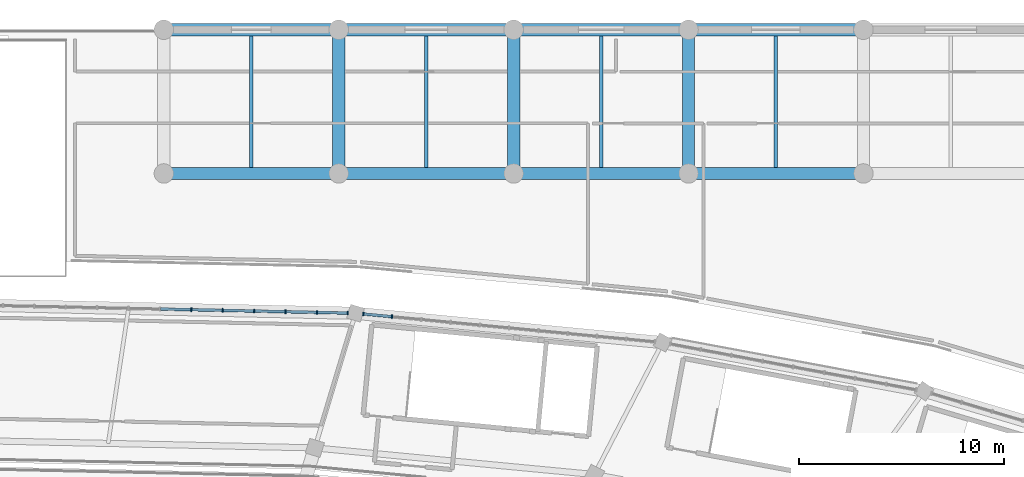
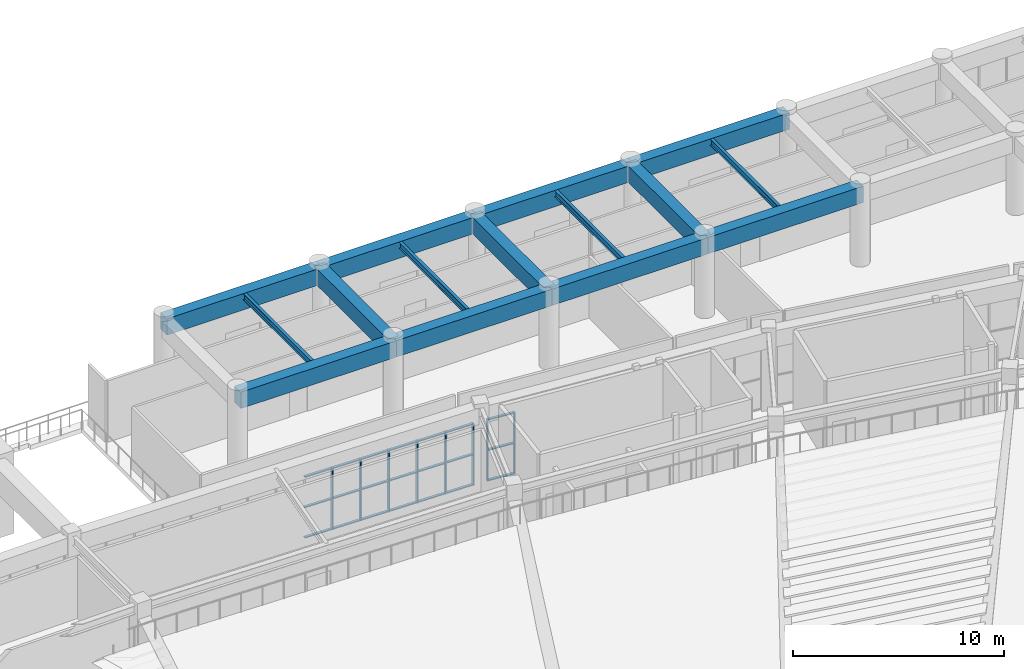
# One storey, part 69 of 137: 29 members, 15 beams, 2 elements without a shape of their own.
"""IFC4 building model written with IfcOpenShell, lengths in metres."""

import ifcopenshell
import ifcopenshell.guid

model = None  # the IFC model being written
_history = None  # IfcOwnerHistory: only IFC2X3 demands one
_inside = {}  # id of a spatial element -> (the spatial element, [elements in it])
_under = {}  # id of a project, library or spatial element -> (it, [spatial elements below it])
_declared = {}  # id of a project -> (the project, [libraries it declares])
_typed = {}  # id of a type object -> (the type object, [elements of that type])
_made_of = {}  # id of a material, layer set ... -> (it, [elements and type objects made of it])


def new_model(schema):
    """Start an empty IFC model of exactly this schema.

    Asked for "IFC4X3", IfcOpenShell would pick the latest addendum, in which some entities
    have other attributes; the version numbers below select the first issue.
    IFC2X3 requires an IfcOwnerHistory on every rooted entity: one is made here for all.
    """
    global model, _history
    if schema == "IFC4X3":
        model = ifcopenshell.file(schema_version=(4, 3, 0, 0))
    else:
        model = ifcopenshell.file(schema=schema)
    _inside.clear()
    _under.clear()
    _declared.clear()
    _typed.clear()
    _made_of.clear()
    _history = None
    if model.schema == "IFC2X3":
        org = make("IfcOrganization", Name="unknown")
        user = make(
            "IfcPersonAndOrganization",
            ThePerson=make("IfcPerson", FamilyName="unknown"),
            TheOrganization=org,
        )
        app = make(
            "IfcApplication",
            ApplicationDeveloper=org,
            Version="unknown",
            ApplicationFullName="unknown",
            ApplicationIdentifier="unknown",
        )
        _history = make(
            "IfcOwnerHistory",
            OwningUser=user,
            OwningApplication=app,
            ChangeAction="ADDED",
            CreationDate=0,
        )
    return model


def make(cls, **values):
    """One entity of the class cls with the attributes given. An attribute that is None is left unset."""
    return model.create_entity(
        cls, **{name: value for name, value in values.items() if value is not None}
    )


def rooted(cls, **values):
    """An entity with a GlobalId (a new one), such as an element, a storey or a relation."""
    return make(cls, GlobalId=ifcopenshell.guid.new(), OwnerHistory=_history, **values)


def si_unit(unit_type, name, prefix=None):
    """IfcSIUnit, for example si_unit("LENGTHUNIT", "METRE", prefix="MILLI")."""
    return make("IfcSIUnit", UnitType=unit_type, Prefix=prefix, Name=name)


def assignment(units):
    """IfcUnitAssignment: the units of a project."""
    return None if units is None else make("IfcUnitAssignment", Units=units)


def point(xyz):
    """IfcCartesianPoint."""
    return None if xyz is None else make("IfcCartesianPoint", Coordinates=xyz)


def direction(xyz):
    """IfcDirection."""
    return None if xyz is None else make("IfcDirection", DirectionRatios=xyz)


def frame(location, z_axis=None, x_axis=None):
    """IfcAxis2Placement3D, a coordinate frame: its origin and axes. An axis left out is left unset."""
    return make(
        "IfcAxis2Placement3D",
        Location=point(location),
        Axis=direction(z_axis),
        RefDirection=direction(x_axis),
    )


def frame_2d(location, x_axis=None):
    """IfcAxis2Placement2D, a coordinate frame in the plane: its origin and x axis."""
    return make(
        "IfcAxis2Placement2D", Location=point(location), RefDirection=direction(x_axis)
    )


def origin():
    """The frame at (0, 0, 0) with its axes left unset."""
    return frame((0.0, 0.0, 0.0))


def origin_2d():
    """The frame at (0, 0) in the plane with its x axis left unset."""
    return frame_2d((0.0, 0.0))


def place(relative_to, where):
    """IfcLocalPlacement: puts the frame where relative to a parent placement (None: the world)."""
    return make(
        "IfcLocalPlacement", PlacementRelTo=relative_to, RelativePlacement=where
    )


def context(
    kind, dimensions, precision=None, world=None, true_north=None, identifier=None
):
    """IfcGeometricRepresentationContext, for example the 3D "Model" context."""
    return make(
        "IfcGeometricRepresentationContext",
        ContextIdentifier=identifier,
        ContextType=kind,
        CoordinateSpaceDimension=dimensions,
        Precision=precision,
        WorldCoordinateSystem=world,
        TrueNorth=true_north,
    )


def subcontext(parent, identifier, kind, view, scale=None):
    """IfcGeometricRepresentationSubContext, for example "Body" below "Model"."""
    return make(
        "IfcGeometricRepresentationSubContext",
        ContextIdentifier=identifier,
        ContextType=kind,
        ParentContext=parent,
        TargetScale=scale,
        TargetView=view,
    )


def project(units=None, contexts=None):
    """IfcProject with its units and contexts."""
    return rooted(
        "IfcProject",
        Name="project",
        RepresentationContexts=contexts,
        UnitsInContext=assignment(units),
    )


def spatial(cls, under=None, at=None, **own):
    """A site, building, storey or space (cls), placed at a placement, below another one or the project."""
    s = rooted(cls, ObjectPlacement=at, **own)
    if under is not None:
        _under.setdefault(under.id(), (under, []))[1].append(s)
    return s


def profile(cls, at=None, kind="AREA", **sizes):
    """A parametric profile (cls). Its sizes go by their IFC names, for example OverallWidth=200.0."""
    return make(cls, ProfileType=kind, Position=at, **sizes)


def rectangle(**sizes):
    """IfcRectangleProfileDef."""
    return profile("IfcRectangleProfileDef", **sizes)


def i_section(**sizes):
    """IfcIShapeProfileDef."""
    return profile("IfcIShapeProfileDef", **sizes)


def extrude(swept, where, along, depth):
    """IfcExtrudedAreaSolid: the profile swept, set in the frame where, extruded along a direction by depth."""
    return make(
        "IfcExtrudedAreaSolid",
        SweptArea=swept,
        Position=where,
        ExtrudedDirection=direction(along),
        Depth=depth,
    )


def shape(context_of_items, identifier, shape_type, items):
    """IfcShapeRepresentation: the items that make up one representation, for example the "Body"."""
    return make(
        "IfcShapeRepresentation",
        ContextOfItems=context_of_items,
        RepresentationIdentifier=identifier,
        RepresentationType=shape_type,
        Items=items,
    )


def material(Name=None, Category=None):
    """IfcMaterial."""
    return make("IfcMaterial", Name=Name, Category=Category)


def layer(
    of_material, thickness, ventilated=None, Name=None, Category=None, Priority=None
):
    """IfcMaterialLayer: one layer of a wall or slab, of a material (None: an air gap)."""
    return make(
        "IfcMaterialLayer",
        Material=of_material,
        LayerThickness=thickness,
        IsVentilated=ventilated,
        Name=Name,
        Category=Category,
        Priority=Priority,
    )


def layer_set(layers, Name=None):
    """IfcMaterialLayerSet."""
    return make("IfcMaterialLayerSet", MaterialLayers=layers, LayerSetName=Name)


def material_profile(
    of_material, cross_section, Name=None, Category=None, Priority=None
):
    """IfcMaterialProfile: a cross section and its material."""
    return make(
        "IfcMaterialProfile",
        Name=Name,
        Material=of_material,
        Profile=cross_section,
        Priority=Priority,
        Category=Category,
    )


def profile_set(profiles, Name=None, composite=None):
    """IfcMaterialProfileSet."""
    return make(
        "IfcMaterialProfileSet",
        Name=Name,
        MaterialProfiles=profiles,
        CompositeProfile=composite,
    )


def made_of(thing, what):
    """Note that an element or type object is made of a material, layer set ...; save() writes the relation."""
    if what is not None:
        _made_of.setdefault(what.id(), (what, []))[1].append(thing)
    return thing


def type_object(cls, material=None, **own):
    """A type object (cls), such as IfcWallType, which elements share."""
    return made_of(rooted(cls, **own), material)


def element(
    cls,
    number,
    at=None,
    inside=None,
    cuts=None,
    type_object=None,
    material=None,
    context=None,
    identifier="Body",
    shape_type=None,
    held_by="IfcProductDefinitionShape",
    body=None,
    shapes=None,
    **own,
):
    """One element of the class cls, such as IfcWall. Its Tag is "e" and its number.

    at: its placement. inside: the storey or other place that contains it. cuts: it is an
    opening in that element (IfcRelVoidsElement). A single representation is given by context,
    identifier, shape_type and body (its items); several are given by shapes. held_by: the class
    of the entity that holds the representations. save() writes the other relations.
    """
    e = rooted(cls, Tag="e%d" % number, ObjectPlacement=at, **own)
    if body is not None:
        shapes = [shape(context, identifier, shape_type, body)]
    if shapes is not None:
        e.Representation = make(held_by, Representations=shapes)
    if inside is not None:
        _inside.setdefault(inside.id(), (inside, []))[1].append(e)
    if cuts is not None:
        rooted(
            "IfcRelVoidsElement", RelatingBuildingElement=cuts, RelatedOpeningElement=e
        )
    if type_object is not None:
        _typed.setdefault(type_object.id(), (type_object, []))[1].append(e)
    return made_of(e, material)


def aggregate(whole, parts):
    """IfcRelAggregates: a whole, such as a stair, and the parts it consists of."""
    return rooted("IfcRelAggregates", RelatingObject=whole, RelatedObjects=parts)


def save(model, path):
    """Write the relations noted so far, then the file.

    IfcRelAggregates (storeys below a building ...), IfcRelContainedInSpatialStructure (elements
    in a storey), IfcRelDefinesByType, IfcRelAssociatesMaterial and IfcRelDeclares: one each for
    every whole, place, type object, material and project.
    """
    for whole, parts in _under.values():
        aggregate(whole, parts)
    for where, things in _inside.values():
        rooted(
            "IfcRelContainedInSpatialStructure",
            RelatedElements=things,
            RelatingStructure=where,
        )
    for kind, things in _typed.values():
        rooted("IfcRelDefinesByType", RelatedObjects=things, RelatingType=kind)
    for what, things in _made_of.values():
        rooted("IfcRelAssociatesMaterial", RelatedObjects=things, RelatingMaterial=what)
    for by, libraries in _declared.values():
        rooted("IfcRelDeclares", RelatingContext=by, RelatedDefinitions=libraries)
    model.write(path)


model = new_model("IFC4")

# Units and contexts
model_context = context("Model", 3, precision=1e-05, world=origin(), true_north=direction((0.0, 1.0)))
body_context = subcontext(model_context, "Body", "Model", "MODEL_VIEW")
ifc_project = project(units=[si_unit("LENGTHUNIT", "METRE"), si_unit("AREAUNIT", "SQUARE_METRE"), si_unit("VOLUMEUNIT", "CUBIC_METRE"), si_unit("PLANEANGLEUNIT", "RADIAN"), si_unit("MASSUNIT", "GRAM", prefix="KILO")], contexts=[model_context])

# Site, building, storey
site_placement = place(None, origin())
site = spatial("IfcSite", under=ifc_project, at=site_placement, CompositionType="ELEMENT")
building_placement = place(site_placement, origin())
building = spatial("IfcBuilding", under=site, at=building_placement, Name="Mphavela Belvedere Stadium", CompositionType="ELEMENT")
storey_placement = place(building_placement, frame((0.0, 0.0, 19.199951171875)))
storey = spatial("IfcBuildingStorey", under=building, at=storey_placement, Name="L04", CompositionType="ELEMENT", Elevation=19.199951171875)

# Beams
ifc_material_1 = material(Name="Concrete C40/50", Category="concrete")
ifc_material_profile_1 = material_profile(ifc_material_1, rectangle(XDim=0.60009765625, YDim=0.949951171875, at=origin_2d()), Name="RC 600x950")
ifc_profile_set_1 = profile_set([ifc_material_profile_1], Name="Concrete C40/50")
beam_type_1 = type_object("IfcBeamType", Name="BM-ENTABLATURE-950", PredefinedType="SPANDREL", material=ifc_profile_set_1)
for number, where, z_axis, x_axis, name in (
    (1, (127.778076171875, 167.0, 4.06494140625), (1.0, 0.0, 0.0), (0.0, 1.0, 0.0), "North Mast and Ceremonial End Forecourt entablature beam X L04 16-7"),
    (2, (127.778076171875, 174.0, 4.06494140625), (1.0, 0.0, 0.0), (0.0, 1.0, 0.0), "North Mast and Ceremonial End Forecourt entablature beam X L04 16-8"),
):
    element("IfcBeam", number, at=place(storey_placement, frame(where, z_axis=z_axis, x_axis=x_axis)), inside=storey, type_object=beam_type_1, Name=name, PredefinedType="SPANDREL", context=body_context, shape_type="SweptSolid", body=[
        extrude(rectangle(XDim=0.60009765625, YDim=0.949951171875, at=origin_2d()), origin(), (0.0, 0.0, 1.0), 8.517822265625),
    ])
beam_1_placement = place(storey_placement, frame((136.2958984375, 167.0, 4.06494140625), z_axis=(1.0, 0.0, 0.0), x_axis=(0.0, 1.0, 0.0)))
element("IfcBeam", 3, at=beam_1_placement, inside=storey, type_object=beam_type_1, Name="North Mast and Ceremonial End Forecourt entablature beam X L04 17-7", PredefinedType="SPANDREL", context=body_context, shape_type="SweptSolid", body=[
    extrude(rectangle(XDim=0.60009765625, YDim=0.949951171875, at=origin_2d()), origin(), (0.0, 0.0, 1.0), 8.51904296875),
])
beam_2_placement = place(storey_placement, frame((136.2958984375, 167.0, 4.06494140625), z_axis=(0.0, 1.0, 0.0), x_axis=(-1.0, 0.0, 0.0)))
element("IfcBeam", 4, at=beam_2_placement, inside=storey, type_object=beam_type_1, Name="North Mast and Ceremonial End Forecourt entablature beam Y L04 17-7", PredefinedType="SPANDREL", context=body_context, shape_type="SweptSolid", body=[
    extrude(rectangle(XDim=0.60009765625, YDim=0.949951171875, at=origin_2d()), origin(), (0.0, 0.0, 1.0), 7.0),
])
beam_3_placement = place(storey_placement, frame((136.2958984375, 174.0, 4.06494140625), z_axis=(1.0, 0.0, 0.0), x_axis=(0.0, 1.0, 0.0)))
element("IfcBeam", 5, at=beam_3_placement, inside=storey, type_object=beam_type_1, Name="North Mast and Ceremonial End Forecourt entablature beam X L04 17-8", PredefinedType="SPANDREL", context=body_context, shape_type="SweptSolid", body=[
    extrude(rectangle(XDim=0.60009765625, YDim=0.949951171875, at=origin_2d()), origin(), (0.0, 0.0, 1.0), 8.51904296875),
])
beam_4_placement = place(storey_placement, frame((144.81494140625, 167.0, 4.06494140625), z_axis=(1.0, 0.0, 0.0), x_axis=(0.0, 1.0, 0.0)))
element("IfcBeam", 6, at=beam_4_placement, inside=storey, type_object=beam_type_1, Name="North Mast and Ceremonial End Forecourt entablature beam X L04 18-7", PredefinedType="SPANDREL", context=body_context, shape_type="SweptSolid", body=[
    extrude(rectangle(XDim=0.60009765625, YDim=0.949951171875, at=origin_2d()), origin(), (0.0, 0.0, 1.0), 8.51806640625),
])
beam_5_placement = place(storey_placement, frame((144.81494140625, 167.0, 4.06494140625), z_axis=(0.0, 1.0, 0.0), x_axis=(-1.0, 0.0, 0.0)))
element("IfcBeam", 7, at=beam_5_placement, inside=storey, type_object=beam_type_1, Name="North Mast and Ceremonial End Forecourt entablature beam Y L04 18-7", PredefinedType="SPANDREL", context=body_context, shape_type="SweptSolid", body=[
    extrude(rectangle(XDim=0.60009765625, YDim=0.949951171875, at=origin_2d()), origin(), (0.0, 0.0, 1.0), 7.0),
])
beam_6_placement = place(storey_placement, frame((144.81494140625, 174.0, 4.06494140625), z_axis=(1.0, 0.0, 0.0), x_axis=(0.0, 1.0, 0.0)))
element("IfcBeam", 8, at=beam_6_placement, inside=storey, type_object=beam_type_1, Name="North Mast and Ceremonial End Forecourt entablature beam X L04 18-8", PredefinedType="SPANDREL", context=body_context, shape_type="SweptSolid", body=[
    extrude(rectangle(XDim=0.60009765625, YDim=0.949951171875, at=origin_2d()), origin(), (0.0, 0.0, 1.0), 8.51806640625),
])
beam_7_placement = place(storey_placement, frame((153.3330078125, 167.0, 4.06494140625), z_axis=(1.0, 0.0, 0.0), x_axis=(0.0, 1.0, 0.0)))
element("IfcBeam", 9, at=beam_7_placement, inside=storey, type_object=beam_type_1, Name="North Mast and Ceremonial End Forecourt entablature beam X L04 19-7", PredefinedType="SPANDREL", context=body_context, shape_type="SweptSolid", body=[
    extrude(rectangle(XDim=0.60009765625, YDim=0.949951171875, at=origin_2d()), origin(), (0.0, 0.0, 1.0), 8.51904296875),
])
beam_8_placement = place(storey_placement, frame((153.3330078125, 167.0, 4.06494140625), z_axis=(0.0, 1.0, 0.0), x_axis=(-1.0, 0.0, 0.0)))
element("IfcBeam", 10, at=beam_8_placement, inside=storey, type_object=beam_type_1, Name="North Mast and Ceremonial End Forecourt entablature beam Y L04 19-7", PredefinedType="SPANDREL", context=body_context, shape_type="SweptSolid", body=[
    extrude(rectangle(XDim=0.60009765625, YDim=0.949951171875, at=origin_2d()), origin(), (0.0, 0.0, 1.0), 7.0),
])
beam_9_placement = place(storey_placement, frame((153.3330078125, 174.0, 4.06494140625), z_axis=(1.0, 0.0, 0.0), x_axis=(0.0, 1.0, 0.0)))
element("IfcBeam", 11, at=beam_9_placement, inside=storey, type_object=beam_type_1, Name="North Mast and Ceremonial End Forecourt entablature beam X L04 19-8", PredefinedType="SPANDREL", context=body_context, shape_type="SweptSolid", body=[
    extrude(rectangle(XDim=0.60009765625, YDim=0.949951171875, at=origin_2d()), origin(), (0.0, 0.0, 1.0), 8.51904296875),
])
ifc_material_2 = material(Name="Steel S355", Category="steel")
ifc_material_profile_2 = material_profile(ifc_material_2, i_section(OverallWidth=0.169921875, OverallDepth=0.360107421875, WebThickness=0.008056640625, FlangeThickness=0.0126953125, at=origin_2d()), Name="IPE 360")
ifc_profile_set_2 = profile_set([ifc_material_profile_2], Name="Steel S355")
beam_type_2 = type_object("IfcBeamType", Name="BM-JOIST-IPE360", PredefinedType="JOIST", material=ifc_profile_set_2)
for number, where, z_axis, x_axis, name in (
    (12, (132.037109375, 167.300048828125, 4.360107421875), (0.0, 1.0, 0.0), (-1.0, 0.0, 0.0), "North Mast and Ceremonial End Forecourt secondary joist L04 16-7"),
    (13, (140.555419921875, 167.300048828125, 4.360107421875), (0.0, 1.0, 0.0), (-1.0, 0.0, 0.0), "North Mast and Ceremonial End Forecourt secondary joist L04 17-7"),
    (14, (149.073974609375, 167.300048828125, 4.360107421875), (0.0, 1.0, 0.0), (-1.0, 0.0, 0.0), "North Mast and Ceremonial End Forecourt secondary joist L04 18-7"),
    (15, (157.592529296875, 167.300048828125, 4.360107421875), (0.0, 1.0, 0.0), (-1.0, 0.0, 0.0), "North Mast and Ceremonial End Forecourt secondary joist L04 19-7"),
):
    element("IfcBeam", number, at=place(storey_placement, frame(where, z_axis=z_axis, x_axis=x_axis)), inside=storey, type_object=beam_type_2, Name=name, PredefinedType="JOIST", context=body_context, shape_type="SweptSolid", body=[
        extrude(i_section(OverallWidth=0.169921875, OverallDepth=0.360107421875, WebThickness=0.008056640625, FlangeThickness=0.0126953125, at=origin_2d()), origin(), (0.0, 0.0, 1.0), 6.39990234375),
    ])

# Curtain wall, members
ifc_material_3 = material(Name="Anodised bronze unitised curtain wall framing")
ifc_layer_1 = layer(ifc_material_3, 0.179931640625)
ifc_layer_set_1 = layer_set([ifc_layer_1], Name="Anodised bronze unitised curtain wall framing")
curtain_wall_type_1 = type_object("IfcCurtainWallType", Name="CW-UNIT-01", PredefinedType="USERDEFINED", material=ifc_layer_set_1)
curtain_wall_1_placement = place(storey_placement, origin())
curtain_wall_1 = element("IfcCurtainWall", 16, at=curtain_wall_1_placement, inside=storey, type_object=curtain_wall_type_1, Name="Belvedere colonnade curtain wall L04-11", ObjectType="UNITISED CURTAIN WALL", PredefinedType="USERDEFINED")
ifc_material_4 = material(Name="Anodised bronze extruded aluminium", Category="aluminium")
ifc_material_profile_3 = material_profile(ifc_material_4, rectangle(XDim=0.179931640625, YDim=0.06494140625, at=origin_2d()), Name="CW-MUL 180x65")
ifc_profile_set_3 = profile_set([ifc_material_profile_3], Name="Anodised bronze extruded aluminium")
member_type_1 = type_object("IfcMemberType", Name="CWM-180x65", PredefinedType="MULLION", material=ifc_profile_set_3)
member_1_placement = place(storey_placement, frame((138.887451171875, 160.024658203125, 0.0), z_axis=(0.0, 0.0, 1.0), x_axis=(-0.094932913757, -0.995483672335, 0.0)))
member_1 = element("IfcMember", 17, at=member_1_placement, type_object=member_type_1, Name="CW-01 mullion 10", PredefinedType="MULLION", context=body_context, shape_type="SweptSolid", body=[
    extrude(rectangle(XDim=0.179931640625, YDim=0.06494140625, at=origin_2d()), origin(), (0.0, 0.0, 1.0), 3.570068359375),
])
member_2_placement = place(storey_placement, frame((137.493408203125, 160.15771484375, 0.0), z_axis=(0.0, 0.0, 1.0), x_axis=(-0.094932913757, -0.995483672335, 0.0)))
member_2 = element("IfcMember", 18, at=member_2_placement, type_object=member_type_1, Name="CW-01 mullion 11", PredefinedType="MULLION", context=body_context, shape_type="SweptSolid", body=[
    extrude(rectangle(XDim=0.179931640625, YDim=0.06494140625, at=origin_2d()), origin(), (0.0, 0.0, 1.0), 3.570068359375),
])

ifc_material_5 = material(Name="Anodised bronze unitised curtain wall framing")
ifc_layer_2 = layer(ifc_material_5, 0.18505859375)
ifc_layer_set_2 = layer_set([ifc_layer_2], Name="Anodised bronze unitised curtain wall framing")
curtain_wall_type_2 = type_object("IfcCurtainWallType", Name="CW-UNIT-02", PredefinedType="USERDEFINED", material=ifc_layer_set_2)
curtain_wall_2_placement = place(storey_placement, origin())
curtain_wall_2 = element("IfcCurtainWall", 19, at=curtain_wall_2_placement, inside=storey, type_object=curtain_wall_type_2, Name="Belvedere colonnade curtain wall L04-12", ObjectType="UNITISED CURTAIN WALL", PredefinedType="USERDEFINED")
member_3_placement = place(storey_placement, frame((136.734130859375, 160.201904296875, 0.0), z_axis=(0.0, 0.0, 1.0), x_axis=(-0.021527495473, -0.999768256617, 0.0)))
member_3 = element("IfcMember", 20, at=member_3_placement, type_object=member_type_1, Name="CW-02 mullion 1", PredefinedType="MULLION", context=body_context, shape_type="SweptSolid", body=[
    extrude(rectangle(XDim=0.179931640625, YDim=0.06494140625, at=origin_2d()), origin(), (0.0, 0.0, 1.0), 3.570068359375),
])
member_4_placement = place(storey_placement, frame((135.23681640625, 160.234130859375, 0.0), z_axis=(0.0, 0.0, 1.0), x_axis=(-0.021527495473, -0.999768256617, 0.0)))
member_4 = element("IfcMember", 21, at=member_4_placement, type_object=member_type_1, Name="CW-02 mullion 2", PredefinedType="MULLION", context=body_context, shape_type="SweptSolid", body=[
    extrude(rectangle(XDim=0.179931640625, YDim=0.06494140625, at=origin_2d()), origin(), (0.0, 0.0, 1.0), 3.570068359375),
])
member_5_placement = place(storey_placement, frame((133.706787109375, 160.26708984375, 0.0), z_axis=(0.0, 0.0, 1.0), x_axis=(-0.021527495473, -0.999768256617, 0.0)))
member_5 = element("IfcMember", 22, at=member_5_placement, type_object=member_type_1, Name="CW-02 mullion 3", PredefinedType="MULLION", context=body_context, shape_type="SweptSolid", body=[
    extrude(rectangle(XDim=0.179931640625, YDim=0.06494140625, at=origin_2d()), origin(), (0.0, 0.0, 1.0), 3.570068359375),
])
member_6_placement = place(storey_placement, frame((132.177001953125, 160.300048828125, 0.0), z_axis=(0.0, 0.0, 1.0), x_axis=(-0.021527495473, -0.999768256617, 0.0)))
member_6 = element("IfcMember", 23, at=member_6_placement, type_object=member_type_1, Name="CW-02 mullion 4", PredefinedType="MULLION", context=body_context, shape_type="SweptSolid", body=[
    extrude(rectangle(XDim=0.179931640625, YDim=0.06494140625, at=origin_2d()), origin(), (0.0, 0.0, 1.0), 3.570068359375),
])
member_7_placement = place(storey_placement, frame((130.64697265625, 160.3330078125, 0.0), z_axis=(0.0, 0.0, 1.0), x_axis=(-0.021527495473, -0.999768256617, 0.0)))
member_7 = element("IfcMember", 24, at=member_7_placement, type_object=member_type_1, Name="CW-02 mullion 5", PredefinedType="MULLION", context=body_context, shape_type="SweptSolid", body=[
    extrude(rectangle(XDim=0.179931640625, YDim=0.06494140625, at=origin_2d()), origin(), (0.0, 0.0, 1.0), 3.570068359375),
])
member_8_placement = place(storey_placement, frame((129.1171875, 160.365966796875, 0.0), z_axis=(0.0, 0.0, 1.0), x_axis=(-0.021527495473, -0.999768256617, 0.0)))
member_8 = element("IfcMember", 25, at=member_8_placement, type_object=member_type_1, Name="CW-02 mullion 6", PredefinedType="MULLION", context=body_context, shape_type="SweptSolid", body=[
    extrude(rectangle(XDim=0.179931640625, YDim=0.06494140625, at=origin_2d()), origin(), (0.0, 0.0, 1.0), 3.570068359375),
])

# Member
ifc_material_6 = material(Name="Anodised bronze extruded aluminium", Category="aluminium")
ifc_material_profile_4 = material_profile(ifc_material_6, rectangle(XDim=0.139892578125, YDim=0.06005859375, at=origin_2d()), Name="CW-TRN 140x60")
ifc_profile_set_4 = profile_set([ifc_material_profile_4], Name="Anodised bronze extruded aluminium")
member_type_2 = type_object("IfcMemberType", Name="CWT-140x60", PredefinedType="USERDEFINED", material=ifc_profile_set_4)
member_9_placement = place(storey_placement, frame((138.855224609375, 160.02783203125, 0.030029296875), z_axis=(-0.995489719977, 0.094869475701, 0.0), x_axis=(-0.094869475701, -0.995489719977, 0.0)))
member_9 = element("IfcMember", 26, at=member_9_placement, type_object=member_type_2, Name="CW-01 transom 10.1", ObjectType="TRANSOM", PredefinedType="USERDEFINED", context=body_context, shape_type="SweptSolid", body=[
    extrude(rectangle(XDim=0.139892578125, YDim=0.06005859375, at=origin_2d()), origin(), (0.0, 0.0, 1.0), 1.335693359375),
])

member_10_placement = place(storey_placement, frame((138.855224609375, 160.02783203125, 1.78515625), z_axis=(-0.995489719977, 0.094869475701, 0.0), x_axis=(-0.094869475701, -0.995489719977, 0.0)))
member_10 = element("IfcMember", 27, at=member_10_placement, type_object=member_type_2, Name="CW-01 transom 10.2", ObjectType="TRANSOM", PredefinedType="USERDEFINED", context=body_context, shape_type="SweptSolid", body=[
    extrude(rectangle(XDim=0.139892578125, YDim=0.06005859375, at=origin_2d()), origin(), (0.0, 0.0, 1.0), 1.335693359375),
])

member_11_placement = place(storey_placement, frame((138.855224609375, 160.02783203125, 3.5400390625), z_axis=(-0.995489719977, 0.094869475701, 0.0), x_axis=(-0.094869475701, -0.995489719977, 0.0)))
member_11 = element("IfcMember", 28, at=member_11_placement, type_object=member_type_2, Name="CW-01 transom 10.3", ObjectType="TRANSOM", PredefinedType="USERDEFINED", context=body_context, shape_type="SweptSolid", body=[
    extrude(rectangle(XDim=0.139892578125, YDim=0.06005859375, at=origin_2d()), origin(), (0.0, 0.0, 1.0), 1.335693359375),
])

aggregate(curtain_wall_1, [member_1, member_2, member_9, member_10, member_11])

member_12_placement = place(storey_placement, frame((136.70166015625, 160.20263671875, 0.030029296875), z_axis=(-0.999765796878, 0.021641427681, 0.0), x_axis=(-0.021641427681, -0.999765796878, 0.0)))
member_12 = element("IfcMember", 29, at=member_12_placement, type_object=member_type_2, Name="CW-02 transom 1.1", ObjectType="TRANSOM", PredefinedType="USERDEFINED", context=body_context, shape_type="SweptSolid", body=[
    extrude(rectangle(XDim=0.139892578125, YDim=0.06005859375, at=origin_2d()), origin(), (0.0, 0.0, 1.0), 1.4326171875),
])

member_13_placement = place(storey_placement, frame((136.70166015625, 160.20263671875, 1.78515625), z_axis=(-0.999765796878, 0.021641427681, 0.0), x_axis=(-0.021641427681, -0.999765796878, 0.0)))
member_13 = element("IfcMember", 30, at=member_13_placement, type_object=member_type_2, Name="CW-02 transom 1.2", ObjectType="TRANSOM", PredefinedType="USERDEFINED", context=body_context, shape_type="SweptSolid", body=[
    extrude(rectangle(XDim=0.139892578125, YDim=0.06005859375, at=origin_2d()), origin(), (0.0, 0.0, 1.0), 1.4326171875),
])

member_14_placement = place(storey_placement, frame((136.70166015625, 160.20263671875, 3.5400390625), z_axis=(-0.999765796878, 0.021641427681, 0.0), x_axis=(-0.021641427681, -0.999765796878, 0.0)))
member_14 = element("IfcMember", 31, at=member_14_placement, type_object=member_type_2, Name="CW-02 transom 1.3", ObjectType="TRANSOM", PredefinedType="USERDEFINED", context=body_context, shape_type="SweptSolid", body=[
    extrude(rectangle(XDim=0.139892578125, YDim=0.06005859375, at=origin_2d()), origin(), (0.0, 0.0, 1.0), 1.4326171875),
])

member_15_placement = place(storey_placement, frame((135.204345703125, 160.23486328125, 0.030029296875), z_axis=(-0.999765438553, 0.02165797484, 0.0), x_axis=(-0.02165797484, -0.999765438553, 0.0)))
member_15 = element("IfcMember", 32, at=member_15_placement, type_object=member_type_2, Name="CW-02 transom 2.1", ObjectType="TRANSOM", PredefinedType="USERDEFINED", context=body_context, shape_type="SweptSolid", body=[
    extrude(rectangle(XDim=0.139892578125, YDim=0.06005859375, at=origin_2d()), origin(), (0.0, 0.0, 1.0), 1.46533203125),
])

member_16_placement = place(storey_placement, frame((135.204345703125, 160.23486328125, 1.78515625), z_axis=(-0.999765438553, 0.02165797484, 0.0), x_axis=(-0.02165797484, -0.999765438553, 0.0)))
member_16 = element("IfcMember", 33, at=member_16_placement, type_object=member_type_2, Name="CW-02 transom 2.2", ObjectType="TRANSOM", PredefinedType="USERDEFINED", context=body_context, shape_type="SweptSolid", body=[
    extrude(rectangle(XDim=0.139892578125, YDim=0.06005859375, at=origin_2d()), origin(), (0.0, 0.0, 1.0), 1.46533203125),
])

member_17_placement = place(storey_placement, frame((135.204345703125, 160.23486328125, 3.5400390625), z_axis=(-0.999765438553, 0.02165797484, 0.0), x_axis=(-0.02165797484, -0.999765438553, 0.0)))
member_17 = element("IfcMember", 34, at=member_17_placement, type_object=member_type_2, Name="CW-02 transom 2.3", ObjectType="TRANSOM", PredefinedType="USERDEFINED", context=body_context, shape_type="SweptSolid", body=[
    extrude(rectangle(XDim=0.139892578125, YDim=0.06005859375, at=origin_2d()), origin(), (0.0, 0.0, 1.0), 1.46533203125),
])

member_18_placement = place(storey_placement, frame((133.67431640625, 160.267822265625, 0.030029296875), z_axis=(-0.999768955097, 0.021495032535, 0.0), x_axis=(-0.021495032535, -0.999768955097, 0.0)))
member_18 = element("IfcMember", 35, at=member_18_placement, type_object=member_type_2, Name="CW-02 transom 3.1", ObjectType="TRANSOM", PredefinedType="USERDEFINED", context=body_context, shape_type="SweptSolid", body=[
    extrude(rectangle(XDim=0.139892578125, YDim=0.06005859375, at=origin_2d()), origin(), (0.0, 0.0, 1.0), 1.465087890625),
])

member_19_placement = place(storey_placement, frame((133.67431640625, 160.267822265625, 1.78515625), z_axis=(-0.999768955097, 0.021495032535, 0.0), x_axis=(-0.021495032535, -0.999768955097, 0.0)))
member_19 = element("IfcMember", 36, at=member_19_placement, type_object=member_type_2, Name="CW-02 transom 3.2", ObjectType="TRANSOM", PredefinedType="USERDEFINED", context=body_context, shape_type="SweptSolid", body=[
    extrude(rectangle(XDim=0.139892578125, YDim=0.06005859375, at=origin_2d()), origin(), (0.0, 0.0, 1.0), 1.465087890625),
])

member_20_placement = place(storey_placement, frame((133.67431640625, 160.267822265625, 3.5400390625), z_axis=(-0.999768955097, 0.021495032535, 0.0), x_axis=(-0.021495032535, -0.999768955097, 0.0)))
member_20 = element("IfcMember", 37, at=member_20_placement, type_object=member_type_2, Name="CW-02 transom 3.3", ObjectType="TRANSOM", PredefinedType="USERDEFINED", context=body_context, shape_type="SweptSolid", body=[
    extrude(rectangle(XDim=0.139892578125, YDim=0.06005859375, at=origin_2d()), origin(), (0.0, 0.0, 1.0), 1.465087890625),
])

member_21_placement = place(storey_placement, frame((132.14453125, 160.30078125, 0.030029296875), z_axis=(-0.999769032066, 0.021491452281, 0.0), x_axis=(-0.021491452281, -0.999769032066, 0.0)))
member_21 = element("IfcMember", 38, at=member_21_placement, type_object=member_type_2, Name="CW-02 transom 4.1", ObjectType="TRANSOM", PredefinedType="USERDEFINED", context=body_context, shape_type="SweptSolid", body=[
    extrude(rectangle(XDim=0.139892578125, YDim=0.06005859375, at=origin_2d()), origin(), (0.0, 0.0, 1.0), 1.46533203125),
])

member_22_placement = place(storey_placement, frame((132.14453125, 160.30078125, 1.78515625), z_axis=(-0.999769032066, 0.021491452281, 0.0), x_axis=(-0.021491452281, -0.999769032066, 0.0)))
member_22 = element("IfcMember", 39, at=member_22_placement, type_object=member_type_2, Name="CW-02 transom 4.2", ObjectType="TRANSOM", PredefinedType="USERDEFINED", context=body_context, shape_type="SweptSolid", body=[
    extrude(rectangle(XDim=0.139892578125, YDim=0.06005859375, at=origin_2d()), origin(), (0.0, 0.0, 1.0), 1.46533203125),
])

member_23_placement = place(storey_placement, frame((132.14453125, 160.30078125, 3.5400390625), z_axis=(-0.999769032066, 0.021491452281, 0.0), x_axis=(-0.021491452281, -0.999769032066, 0.0)))
member_23 = element("IfcMember", 40, at=member_23_placement, type_object=member_type_2, Name="CW-02 transom 4.3", ObjectType="TRANSOM", PredefinedType="USERDEFINED", context=body_context, shape_type="SweptSolid", body=[
    extrude(rectangle(XDim=0.139892578125, YDim=0.06005859375, at=origin_2d()), origin(), (0.0, 0.0, 1.0), 1.46533203125),
])

member_24_placement = place(storey_placement, frame((130.614501953125, 160.333740234375, 0.030029296875), z_axis=(-0.999768955097, 0.021495032535, 0.0), x_axis=(-0.021495032535, -0.999768955097, 0.0)))
member_24 = element("IfcMember", 41, at=member_24_placement, type_object=member_type_2, Name="CW-02 transom 5.1", ObjectType="TRANSOM", PredefinedType="USERDEFINED", context=body_context, shape_type="SweptSolid", body=[
    extrude(rectangle(XDim=0.139892578125, YDim=0.06005859375, at=origin_2d()), origin(), (0.0, 0.0, 1.0), 1.465087890625),
])

member_25_placement = place(storey_placement, frame((130.614501953125, 160.333740234375, 1.78515625), z_axis=(-0.999768955097, 0.021495032535, 0.0), x_axis=(-0.021495032535, -0.999768955097, 0.0)))
member_25 = element("IfcMember", 42, at=member_25_placement, type_object=member_type_2, Name="CW-02 transom 5.2", ObjectType="TRANSOM", PredefinedType="USERDEFINED", context=body_context, shape_type="SweptSolid", body=[
    extrude(rectangle(XDim=0.139892578125, YDim=0.06005859375, at=origin_2d()), origin(), (0.0, 0.0, 1.0), 1.465087890625),
])

member_26_placement = place(storey_placement, frame((130.614501953125, 160.333740234375, 3.5400390625), z_axis=(-0.999768955097, 0.021495032535, 0.0), x_axis=(-0.021495032535, -0.999768955097, 0.0)))
member_26 = element("IfcMember", 43, at=member_26_placement, type_object=member_type_2, Name="CW-02 transom 5.3", ObjectType="TRANSOM", PredefinedType="USERDEFINED", context=body_context, shape_type="SweptSolid", body=[
    extrude(rectangle(XDim=0.139892578125, YDim=0.06005859375, at=origin_2d()), origin(), (0.0, 0.0, 1.0), 1.465087890625),
])

member_27_placement = place(storey_placement, frame((129.084716796875, 160.36669921875, 0.030029296875), z_axis=(-0.999769032066, 0.021491452281, 0.0), x_axis=(-0.021491452281, -0.999769032066, 0.0)))
member_27 = element("IfcMember", 44, at=member_27_placement, type_object=member_type_2, Name="CW-02 transom 6.1", ObjectType="TRANSOM", PredefinedType="USERDEFINED", context=body_context, shape_type="SweptSolid", body=[
    extrude(rectangle(XDim=0.139892578125, YDim=0.06005859375, at=origin_2d()), origin(), (0.0, 0.0, 1.0), 1.46533203125),
])

member_28_placement = place(storey_placement, frame((129.084716796875, 160.36669921875, 1.78515625), z_axis=(-0.999769032066, 0.021491452281, 0.0), x_axis=(-0.021491452281, -0.999769032066, 0.0)))
member_28 = element("IfcMember", 45, at=member_28_placement, type_object=member_type_2, Name="CW-02 transom 6.2", ObjectType="TRANSOM", PredefinedType="USERDEFINED", context=body_context, shape_type="SweptSolid", body=[
    extrude(rectangle(XDim=0.139892578125, YDim=0.06005859375, at=origin_2d()), origin(), (0.0, 0.0, 1.0), 1.46533203125),
])

member_29_placement = place(storey_placement, frame((129.084716796875, 160.36669921875, 3.5400390625), z_axis=(-0.999769032066, 0.021491452281, 0.0), x_axis=(-0.021491452281, -0.999769032066, 0.0)))
member_29 = element("IfcMember", 46, at=member_29_placement, type_object=member_type_2, Name="CW-02 transom 6.3", ObjectType="TRANSOM", PredefinedType="USERDEFINED", context=body_context, shape_type="SweptSolid", body=[
    extrude(rectangle(XDim=0.139892578125, YDim=0.06005859375, at=origin_2d()), origin(), (0.0, 0.0, 1.0), 1.46533203125),
])

aggregate(curtain_wall_2, [member_3, member_4, member_5, member_6, member_7, member_8, member_12, member_13, member_14, member_15, member_16, member_17, member_18, member_19, member_20, member_21, member_22, member_23, member_24, member_25, member_26, member_27, member_28, member_29])

save(model, "model.ifc")
